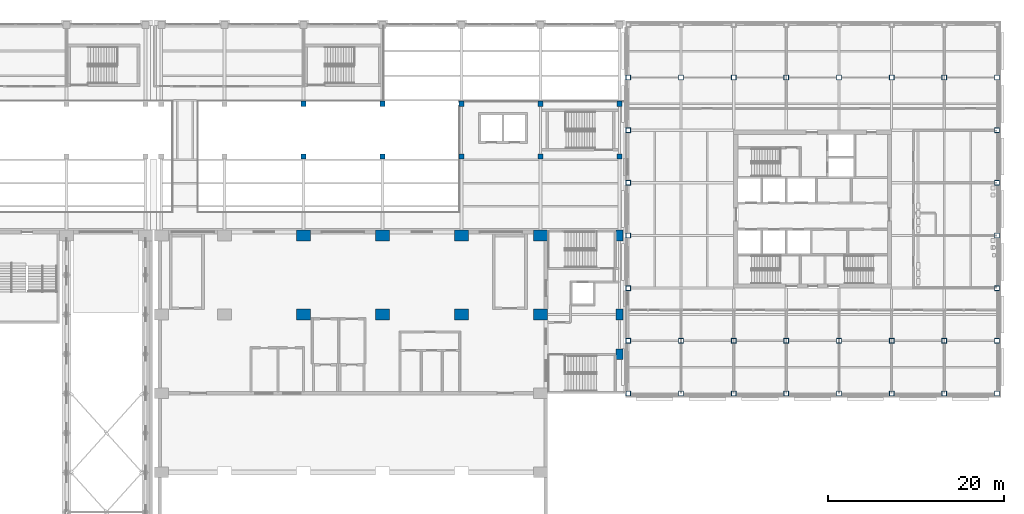
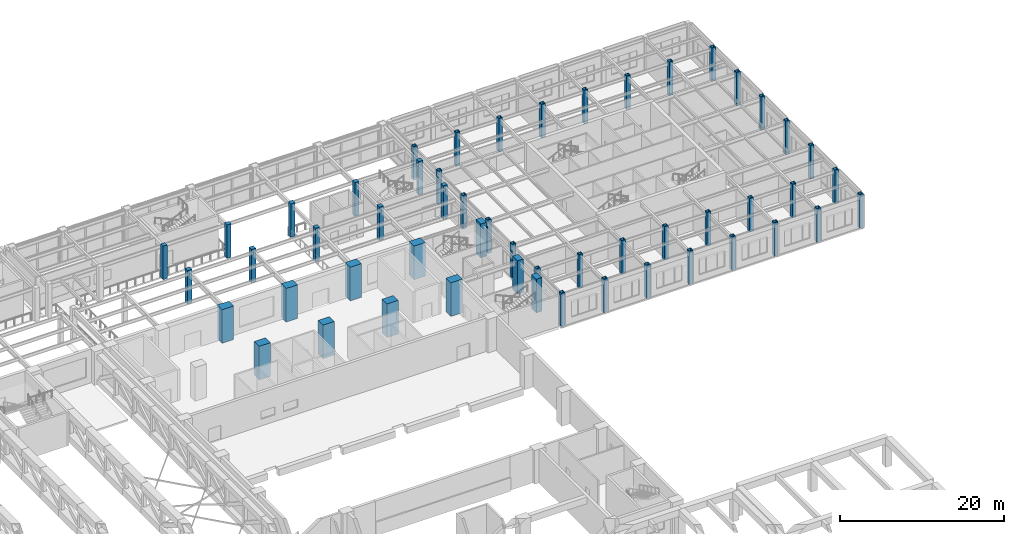
# One storey, part 4 of 76: 53 columns.
"""IFC4 building model written with IfcOpenShell, lengths in metres."""

import ifcopenshell
import ifcopenshell.guid

model = None  # the IFC model being written
_history = None  # IfcOwnerHistory: only IFC2X3 demands one
_inside = {}  # id of a spatial element -> (the spatial element, [elements in it])
_under = {}  # id of a project, library or spatial element -> (it, [spatial elements below it])
_declared = {}  # id of a project -> (the project, [libraries it declares])
_typed = {}  # id of a type object -> (the type object, [elements of that type])
_made_of = {}  # id of a material, layer set ... -> (it, [elements and type objects made of it])


def new_model(schema):
    """Start an empty IFC model of exactly this schema.

    Asked for "IFC4X3", IfcOpenShell would pick the latest addendum, in which some entities
    have other attributes; the version numbers below select the first issue.
    IFC2X3 requires an IfcOwnerHistory on every rooted entity: one is made here for all.
    """
    global model, _history
    if schema == "IFC4X3":
        model = ifcopenshell.file(schema_version=(4, 3, 0, 0))
    else:
        model = ifcopenshell.file(schema=schema)
    _inside.clear()
    _under.clear()
    _declared.clear()
    _typed.clear()
    _made_of.clear()
    _history = None
    if model.schema == "IFC2X3":
        org = make("IfcOrganization", Name="unknown")
        user = make(
            "IfcPersonAndOrganization",
            ThePerson=make("IfcPerson", FamilyName="unknown"),
            TheOrganization=org,
        )
        app = make(
            "IfcApplication",
            ApplicationDeveloper=org,
            Version="unknown",
            ApplicationFullName="unknown",
            ApplicationIdentifier="unknown",
        )
        _history = make(
            "IfcOwnerHistory",
            OwningUser=user,
            OwningApplication=app,
            ChangeAction="ADDED",
            CreationDate=0,
        )
    return model


def make(cls, **values):
    """One entity of the class cls with the attributes given. An attribute that is None is left unset."""
    return model.create_entity(
        cls, **{name: value for name, value in values.items() if value is not None}
    )


def rooted(cls, **values):
    """An entity with a GlobalId (a new one), such as an element, a storey or a relation."""
    return make(cls, GlobalId=ifcopenshell.guid.new(), OwnerHistory=_history, **values)


def si_unit(unit_type, name, prefix=None):
    """IfcSIUnit, for example si_unit("LENGTHUNIT", "METRE", prefix="MILLI")."""
    return make("IfcSIUnit", UnitType=unit_type, Prefix=prefix, Name=name)


def assignment(units):
    """IfcUnitAssignment: the units of a project."""
    return None if units is None else make("IfcUnitAssignment", Units=units)


def point(xyz):
    """IfcCartesianPoint."""
    return None if xyz is None else make("IfcCartesianPoint", Coordinates=xyz)


def direction(xyz):
    """IfcDirection."""
    return None if xyz is None else make("IfcDirection", DirectionRatios=xyz)


def frame(location, z_axis=None, x_axis=None):
    """IfcAxis2Placement3D, a coordinate frame: its origin and axes. An axis left out is left unset."""
    return make(
        "IfcAxis2Placement3D",
        Location=point(location),
        Axis=direction(z_axis),
        RefDirection=direction(x_axis),
    )


def frame_2d(location, x_axis=None):
    """IfcAxis2Placement2D, a coordinate frame in the plane: its origin and x axis."""
    return make(
        "IfcAxis2Placement2D", Location=point(location), RefDirection=direction(x_axis)
    )


def origin():
    """The frame at (0, 0, 0) with its axes left unset."""
    return frame((0.0, 0.0, 0.0))


def origin_2d():
    """The frame at (0, 0) in the plane with its x axis left unset."""
    return frame_2d((0.0, 0.0))


def place(relative_to, where):
    """IfcLocalPlacement: puts the frame where relative to a parent placement (None: the world)."""
    return make(
        "IfcLocalPlacement", PlacementRelTo=relative_to, RelativePlacement=where
    )


def context(
    kind, dimensions, precision=None, world=None, true_north=None, identifier=None
):
    """IfcGeometricRepresentationContext, for example the 3D "Model" context."""
    return make(
        "IfcGeometricRepresentationContext",
        ContextIdentifier=identifier,
        ContextType=kind,
        CoordinateSpaceDimension=dimensions,
        Precision=precision,
        WorldCoordinateSystem=world,
        TrueNorth=true_north,
    )


def subcontext(parent, identifier, kind, view, scale=None):
    """IfcGeometricRepresentationSubContext, for example "Body" below "Model"."""
    return make(
        "IfcGeometricRepresentationSubContext",
        ContextIdentifier=identifier,
        ContextType=kind,
        ParentContext=parent,
        TargetScale=scale,
        TargetView=view,
    )


def project(units=None, contexts=None):
    """IfcProject with its units and contexts."""
    return rooted(
        "IfcProject",
        Name="project",
        RepresentationContexts=contexts,
        UnitsInContext=assignment(units),
    )


def spatial(cls, under=None, at=None, **own):
    """A site, building, storey or space (cls), placed at a placement, below another one or the project."""
    s = rooted(cls, ObjectPlacement=at, **own)
    if under is not None:
        _under.setdefault(under.id(), (under, []))[1].append(s)
    return s


def profile(cls, at=None, kind="AREA", **sizes):
    """A parametric profile (cls). Its sizes go by their IFC names, for example OverallWidth=200.0."""
    return make(cls, ProfileType=kind, Position=at, **sizes)


def rectangle(**sizes):
    """IfcRectangleProfileDef."""
    return profile("IfcRectangleProfileDef", **sizes)


def hollow_rectangle(**sizes):
    """IfcRectangleHollowProfileDef."""
    return profile("IfcRectangleHollowProfileDef", **sizes)


def extrude(swept, where, along, depth):
    """IfcExtrudedAreaSolid: the profile swept, set in the frame where, extruded along a direction by depth."""
    return make(
        "IfcExtrudedAreaSolid",
        SweptArea=swept,
        Position=where,
        ExtrudedDirection=direction(along),
        Depth=depth,
    )


def shape(context_of_items, identifier, shape_type, items):
    """IfcShapeRepresentation: the items that make up one representation, for example the "Body"."""
    return make(
        "IfcShapeRepresentation",
        ContextOfItems=context_of_items,
        RepresentationIdentifier=identifier,
        RepresentationType=shape_type,
        Items=items,
    )


def material(Name=None, Category=None):
    """IfcMaterial."""
    return make("IfcMaterial", Name=Name, Category=Category)


def material_profile(
    of_material, cross_section, Name=None, Category=None, Priority=None
):
    """IfcMaterialProfile: a cross section and its material."""
    return make(
        "IfcMaterialProfile",
        Name=Name,
        Material=of_material,
        Profile=cross_section,
        Priority=Priority,
        Category=Category,
    )


def profile_set(profiles, Name=None, composite=None):
    """IfcMaterialProfileSet."""
    return make(
        "IfcMaterialProfileSet",
        Name=Name,
        MaterialProfiles=profiles,
        CompositeProfile=composite,
    )


def made_of(thing, what):
    """Note that an element or type object is made of a material, layer set ...; save() writes the relation."""
    if what is not None:
        _made_of.setdefault(what.id(), (what, []))[1].append(thing)
    return thing


def type_object(cls, material=None, **own):
    """A type object (cls), such as IfcWallType, which elements share."""
    return made_of(rooted(cls, **own), material)


def element(
    cls,
    number,
    at=None,
    inside=None,
    cuts=None,
    type_object=None,
    material=None,
    context=None,
    identifier="Body",
    shape_type=None,
    held_by="IfcProductDefinitionShape",
    body=None,
    shapes=None,
    **own,
):
    """One element of the class cls, such as IfcWall. Its Tag is "e" and its number.

    at: its placement. inside: the storey or other place that contains it. cuts: it is an
    opening in that element (IfcRelVoidsElement). A single representation is given by context,
    identifier, shape_type and body (its items); several are given by shapes. held_by: the class
    of the entity that holds the representations. save() writes the other relations.
    """
    e = rooted(cls, Tag="e%d" % number, ObjectPlacement=at, **own)
    if body is not None:
        shapes = [shape(context, identifier, shape_type, body)]
    if shapes is not None:
        e.Representation = make(held_by, Representations=shapes)
    if inside is not None:
        _inside.setdefault(inside.id(), (inside, []))[1].append(e)
    if cuts is not None:
        rooted(
            "IfcRelVoidsElement", RelatingBuildingElement=cuts, RelatedOpeningElement=e
        )
    if type_object is not None:
        _typed.setdefault(type_object.id(), (type_object, []))[1].append(e)
    return made_of(e, material)


def aggregate(whole, parts):
    """IfcRelAggregates: a whole, such as a stair, and the parts it consists of."""
    return rooted("IfcRelAggregates", RelatingObject=whole, RelatedObjects=parts)


def save(model, path):
    """Write the relations noted so far, then the file.

    IfcRelAggregates (storeys below a building ...), IfcRelContainedInSpatialStructure (elements
    in a storey), IfcRelDefinesByType, IfcRelAssociatesMaterial and IfcRelDeclares: one each for
    every whole, place, type object, material and project.
    """
    for whole, parts in _under.values():
        aggregate(whole, parts)
    for where, things in _inside.values():
        rooted(
            "IfcRelContainedInSpatialStructure",
            RelatedElements=things,
            RelatingStructure=where,
        )
    for kind, things in _typed.values():
        rooted("IfcRelDefinesByType", RelatedObjects=things, RelatingType=kind)
    for what, things in _made_of.values():
        rooted("IfcRelAssociatesMaterial", RelatedObjects=things, RelatingMaterial=what)
    for by, libraries in _declared.values():
        rooted("IfcRelDeclares", RelatingContext=by, RelatedDefinitions=libraries)
    model.write(path)


model = new_model("IFC4")

# Units and contexts
model_context = context("Model", 3, precision=1e-05, world=origin(), true_north=direction((0.0, 1.0)))
body_context = subcontext(model_context, "Body", "Model", "MODEL_VIEW")
ifc_project = project(units=[si_unit("LENGTHUNIT", "METRE"), si_unit("AREAUNIT", "SQUARE_METRE"), si_unit("VOLUMEUNIT", "CUBIC_METRE"), si_unit("PLANEANGLEUNIT", "RADIAN"), si_unit("MASSUNIT", "GRAM", prefix="KILO")], contexts=[model_context])

# Site, building, storey
site_placement = place(None, origin())
site = spatial("IfcSite", under=ifc_project, at=site_placement, CompositionType="ELEMENT")
building_placement = place(site_placement, origin())
building = spatial("IfcBuilding", under=site, at=building_placement, Name="Aravalli Gate Trade Fair Centre", CompositionType="ELEMENT")
storey_placement = place(building_placement, frame((0.0, 0.0, 10.0)))
storey = spatial("IfcBuildingStorey", under=building, at=storey_placement, Name="L02", CompositionType="ELEMENT", Elevation=10.0)

# Columns
ifc_material_1 = material(Name="Concrete M45", Category="concrete")
ifc_material_profile_1 = material_profile(ifc_material_1, rectangle(XDim=1.60009765625, YDim=1.199951171875, at=origin_2d()), Name="RC 1600x1200")
ifc_profile_set_1 = profile_set([ifc_material_profile_1], Name="Concrete M45")
column_type_1 = type_object("IfcColumnType", Name="Congress RC column 1600 x 1200", PredefinedType="COLUMN", material=ifc_profile_set_1)
for number, where, z_axis, x_axis, name in (
    (1, (150.0, 100.0, 0.0), (0.0, 0.0, 1.0), (1.0, 0.0, 0.0), "Congress column 150.0/100 L02"),
    (2, (123.0, 109.0, 0.0), (0.0, 0.0, 1.0), (1.0, 0.0, 0.0), "Congress column 123.0/109 L02"),
    (3, (132.0, 109.0, 0.0), (0.0, 0.0, 1.0), (1.0, 0.0, 0.0), "Congress column 132.0/109 L02"),
    (4, (141.0, 109.0, 0.0), (0.0, 0.0, 1.0), (1.0, 0.0, 0.0), "Congress column 141.0/109 L02"),
    (5, (150.0, 109.0, 0.0), (0.0, 0.0, 1.0), (1.0, 0.0, 0.0), "Congress column 150.0/109 L02"),
):
    element("IfcColumn", number, at=place(storey_placement, frame(where, z_axis=z_axis, x_axis=x_axis)), inside=storey, type_object=column_type_1, Name=name, PredefinedType="COLUMN", context=body_context, shape_type="SweptSolid", body=[
        extrude(rectangle(XDim=1.60009765625, YDim=1.199951171875, at=origin_2d()), origin(), (0.0, 0.0, 1.0), 5.0),
    ])
ifc_material_profile_2 = material_profile(ifc_material_1, rectangle(XDim=1.60009765625, YDim=1.199951171875, at=origin_2d()), Name="RC 1600x1200")
ifc_profile_set_2 = profile_set([ifc_material_profile_2], Name="Concrete M45")
column_type_2 = type_object("IfcColumnType", Name="Congress RC column 1600 x 1200, heavy stack", PredefinedType="COLUMN", material=ifc_profile_set_2)
for number, where, z_axis, x_axis, name in (
    (6, (123.0, 100.0, 0.0), (0.0, 0.0, 1.0), (1.0, 0.0, 0.0), "Congress column 123.0/100 L02"),
    (7, (132.0, 100.0, 0.0), (0.0, 0.0, 1.0), (1.0, 0.0, 0.0), "Congress column 132.0/100 L02"),
    (8, (141.0, 100.0, 0.0), (0.0, 0.0, 1.0), (1.0, 0.0, 0.0), "Congress column 141.0/100 L02"),
):
    element("IfcColumn", number, at=place(storey_placement, frame(where, z_axis=z_axis, x_axis=x_axis)), inside=storey, type_object=column_type_2, Name=name, PredefinedType="COLUMN", context=body_context, shape_type="SweptSolid", body=[
        extrude(rectangle(XDim=1.60009765625, YDim=1.199951171875, at=origin_2d()), origin(), (0.0, 0.0, 1.0), 5.0),
    ])
ifc_material_2 = material(Name="Concrete M50", Category="concrete")
ifc_material_profile_3 = material_profile(ifc_material_2, rectangle(XDim=0.800048828125, YDim=1.199951171875, at=origin_2d()), Name="Link column 800 x 1200")
ifc_profile_set_3 = profile_set([ifc_material_profile_3], Name="Concrete M50")
column_type_3 = type_object("IfcColumnType", Name="Link column 800 x 1200", PredefinedType="COLUMN", material=ifc_profile_set_3)
for number, where, z_axis, x_axis, name in (
    (9, (159.0, 95.449951171875, 0.0), (0.0, 0.0, 1.0), (1.0, 0.0, 0.0), "Link column EF L02"),
    (10, (159.0, 100.0, 0.0), (0.0, 0.0, 1.0), (1.0, 0.0, 0.0), "Link column EG L02"),
    (11, (159.0, 109.0, 0.0), (0.0, 0.0, 1.0), (1.0, 0.0, 0.0), "Link column EH L02"),
):
    element("IfcColumn", number, at=place(storey_placement, frame(where, z_axis=z_axis, x_axis=x_axis)), inside=storey, type_object=column_type_3, Name=name, PredefinedType="COLUMN", context=body_context, shape_type="SweptSolid", body=[
        extrude(rectangle(XDim=0.800048828125, YDim=1.199951171875, at=origin_2d()), origin(), (0.0, 0.0, 1.0), 5.0),
    ])
ifc_material_profile_4 = material_profile(ifc_material_1, rectangle(XDim=0.60009765625, YDim=0.60009765625, at=origin_2d()), Name="RC column 600 x 600")
ifc_profile_set_4 = profile_set([ifc_material_profile_4], Name="Concrete M45")
column_type_4 = type_object("IfcColumnType", Name="RC column 600 x 600", PredefinedType="COLUMN", material=ifc_profile_set_4)
for number, where, z_axis, x_axis, name in (
    (12, (123.0, 118.0, 0.0), (0.0, 0.0, 1.0), (1.0, 0.0, 0.0), "Concourse column S14 L02"),
    (13, (123.0, 124.0, 0.0), (0.0, 0.0, 1.0), (1.0, 0.0, 0.0), "Concourse column N14 L02"),
    (14, (132.0, 118.0, 0.0), (0.0, 0.0, 1.0), (1.0, 0.0, 0.0), "Concourse column S15 L02"),
    (15, (132.0, 124.0, 0.0), (0.0, 0.0, 1.0), (1.0, 0.0, 0.0), "Concourse column N15 L02"),
    (16, (141.0, 118.0, 0.0), (0.0, 0.0, 1.0), (1.0, 0.0, 0.0), "Concourse column S16 L02"),
    (17, (141.0, 124.0, 0.0), (0.0, 0.0, 1.0), (1.0, 0.0, 0.0), "Concourse column N16 L02"),
    (18, (150.0, 118.0, 0.0), (0.0, 0.0, 1.0), (1.0, 0.0, 0.0), "Concourse column S17 L02"),
    (19, (150.0, 124.0, 0.0), (0.0, 0.0, 1.0), (1.0, 0.0, 0.0), "Concourse column N17 L02"),
    (20, (159.0, 118.0, 0.0), (0.0, 0.0, 1.0), (1.0, 0.0, 0.0), "Concourse column SE L02"),
    (21, (159.0, 124.0, 0.0), (0.0, 0.0, 1.0), (1.0, 0.0, 0.0), "Concourse column NE L02"),
):
    element("IfcColumn", number, at=place(storey_placement, frame(where, z_axis=z_axis, x_axis=x_axis)), inside=storey, type_object=column_type_4, Name=name, PredefinedType="COLUMN", context=body_context, shape_type="SweptSolid", body=[
        extrude(rectangle(XDim=0.60009765625, YDim=0.60009765625, at=origin_2d()), origin(), (0.0, 0.0, 1.0), 5.0),
    ])
ifc_material_3 = material(Name="Steel E350", Category="steel")
ifc_material_profile_5 = material_profile(ifc_material_3, hollow_rectangle(XDim=0.550048828125, YDim=0.550048828125, WallThickness=0.031982421875, at=origin_2d()), Name="BOX 550x550x32")
ifc_profile_set_5 = profile_set([ifc_material_profile_5], Name="Steel E350")
column_type_5 = type_object("IfcColumnType", Name="Wing box column 550 x 550 x 32", PredefinedType="COLUMN", material=ifc_profile_set_5)
for number, where, z_axis, x_axis, name in (
    (22, (160.0, 91.0, 0.0), (0.0, 0.0, 1.0), (1.0, 0.0, 0.0), "Wing column 18/F L02"),
    (23, (160.0, 97.0, 0.0), (0.0, 0.0, 1.0), (1.0, 0.0, 0.0), "Wing column 18/T1 L02"),
    (24, (160.0, 103.0, 0.0), (0.0, 0.0, 1.0), (1.0, 0.0, 0.0), "Wing column 18/T2 L02"),
    (25, (160.0, 109.0, 0.0), (0.0, 0.0, 1.0), (1.0, 0.0, 0.0), "Wing column 18/H L02"),
    (26, (160.0, 115.0, 0.0), (0.0, 0.0, 1.0), (1.0, 0.0, 0.0), "Wing column 18/T3 L02"),
    (27, (160.0, 121.0, 0.0), (0.0, 0.0, 1.0), (1.0, 0.0, 0.0), "Wing column 18/J L02"),
    (28, (160.0, 127.0, 0.0), (0.0, 0.0, 1.0), (1.0, 0.0, 0.0), "Wing column 18/T4 L02"),
    (29, (166.0, 91.0, 0.0), (0.0, 0.0, 1.0), (1.0, 0.0, 0.0), "Wing column 19/F L02"),
    (30, (172.0, 91.0, 0.0), (0.0, 0.0, 1.0), (1.0, 0.0, 0.0), "Wing column 20/F L02"),
    (31, (178.0, 91.0, 0.0), (0.0, 0.0, 1.0), (1.0, 0.0, 0.0), "Wing column 21/F L02"),
    (32, (184.0, 91.0, 0.0), (0.0, 0.0, 1.0), (1.0, 0.0, 0.0), "Wing column 22/F L02"),
    (33, (190.0, 91.0, 0.0), (0.0, 0.0, 1.0), (1.0, 0.0, 0.0), "Wing column 23/F L02"),
    (34, (196.0, 91.0, 0.0), (0.0, 0.0, 1.0), (1.0, 0.0, 0.0), "Wing column 24/F L02"),
    (35, (202.0, 91.0, 0.0), (0.0, 0.0, 1.0), (1.0, 0.0, 0.0), "Wing column 25/F L02"),
    (36, (202.0, 97.0, 0.0), (0.0, 0.0, 1.0), (1.0, 0.0, 0.0), "Wing column 25/T1 L02"),
    (37, (202.0, 103.0, 0.0), (0.0, 0.0, 1.0), (1.0, 0.0, 0.0), "Wing column 25/T2 L02"),
    (38, (202.0, 109.0, 0.0), (0.0, 0.0, 1.0), (1.0, 0.0, 0.0), "Wing column 25/H L02"),
    (39, (202.0, 115.0, 0.0), (0.0, 0.0, 1.0), (1.0, 0.0, 0.0), "Wing column 25/T3 L02"),
    (40, (202.0, 121.0, 0.0), (0.0, 0.0, 1.0), (1.0, 0.0, 0.0), "Wing column 25/J L02"),
    (41, (202.0, 127.0, 0.0), (0.0, 0.0, 1.0), (1.0, 0.0, 0.0), "Wing column 25/T4 L02"),
    (42, (166.0, 97.0, 0.0), (0.0, 0.0, 1.0), (1.0, 0.0, 0.0), "Wing column 19/T1 L02"),
    (43, (172.0, 97.0, 0.0), (0.0, 0.0, 1.0), (1.0, 0.0, 0.0), "Wing column 20/T1 L02"),
    (44, (178.0, 97.0, 0.0), (0.0, 0.0, 1.0), (1.0, 0.0, 0.0), "Wing column 21/T1 L02"),
    (45, (184.0, 97.0, 0.0), (0.0, 0.0, 1.0), (1.0, 0.0, 0.0), "Wing column 22/T1 L02"),
    (46, (190.0, 97.0, 0.0), (0.0, 0.0, 1.0), (1.0, 0.0, 0.0), "Wing column 23/T1 L02"),
    (47, (196.0, 97.0, 0.0), (0.0, 0.0, 1.0), (1.0, 0.0, 0.0), "Wing column 24/T1 L02"),
    (48, (166.0, 127.0, 0.0), (0.0, 0.0, 1.0), (1.0, 0.0, 0.0), "Wing column 19/T4 L02"),
    (49, (172.0, 127.0, 0.0), (0.0, 0.0, 1.0), (1.0, 0.0, 0.0), "Wing column 20/T4 L02"),
    (50, (178.0, 127.0, 0.0), (0.0, 0.0, 1.0), (1.0, 0.0, 0.0), "Wing column 21/T4 L02"),
    (51, (184.0, 127.0, 0.0), (0.0, 0.0, 1.0), (1.0, 0.0, 0.0), "Wing column 22/T4 L02"),
    (52, (190.0, 127.0, 0.0), (0.0, 0.0, 1.0), (1.0, 0.0, 0.0), "Wing column 23/T4 L02"),
    (53, (196.0, 127.0, 0.0), (0.0, 0.0, 1.0), (1.0, 0.0, 0.0), "Wing column 24/T4 L02"),
):
    element("IfcColumn", number, at=place(storey_placement, frame(where, z_axis=z_axis, x_axis=x_axis)), inside=storey, type_object=column_type_5, Name=name, PredefinedType="COLUMN", context=body_context, shape_type="SweptSolid", body=[
        extrude(hollow_rectangle(XDim=0.550048828125, YDim=0.550048828125, WallThickness=0.031982421875, at=origin_2d()), origin(), (0.0, 0.0, 1.0), 5.0),
    ])

save(model, "model.ifc")
